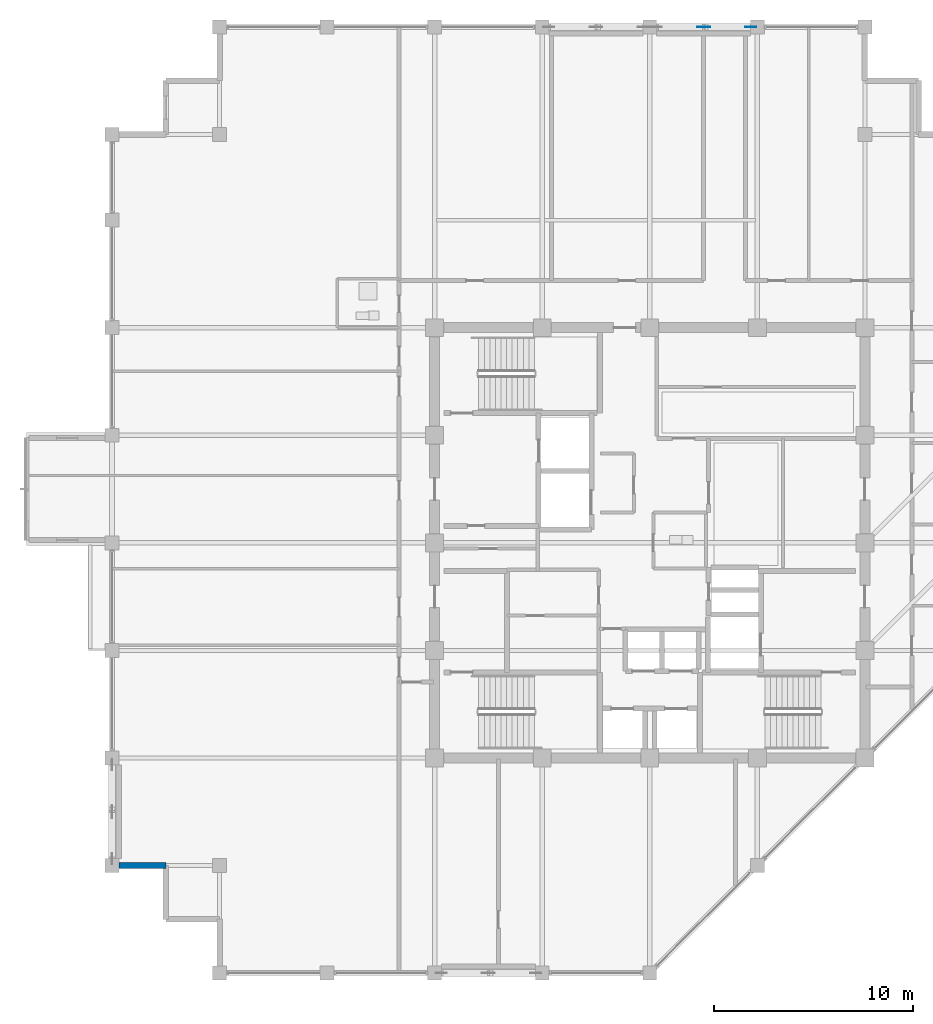
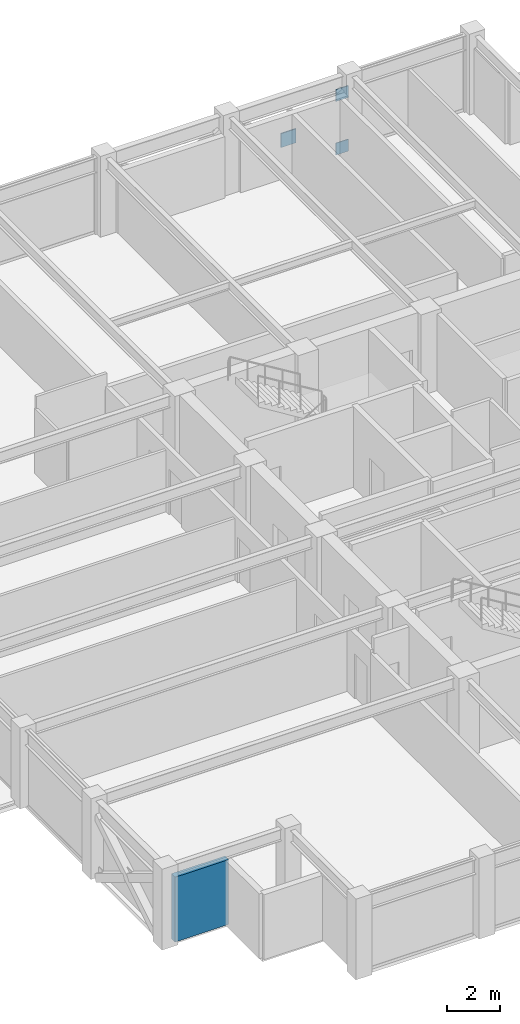
# One storey, part 24 of 31: 3 plates, 1 wall.
"""IFC4 building model written with IfcOpenShell, lengths in metres."""

import ifcopenshell
import ifcopenshell.guid

model = None  # the IFC model being written
_history = None  # IfcOwnerHistory: only IFC2X3 demands one
_inside = {}  # id of a spatial element -> (the spatial element, [elements in it])
_under = {}  # id of a project, library or spatial element -> (it, [spatial elements below it])
_declared = {}  # id of a project -> (the project, [libraries it declares])
_typed = {}  # id of a type object -> (the type object, [elements of that type])
_made_of = {}  # id of a material, layer set ... -> (it, [elements and type objects made of it])


def new_model(schema):
    """Start an empty IFC model of exactly this schema.

    Asked for "IFC4X3", IfcOpenShell would pick the latest addendum, in which some entities
    have other attributes; the version numbers below select the first issue.
    IFC2X3 requires an IfcOwnerHistory on every rooted entity: one is made here for all.
    """
    global model, _history
    if schema == "IFC4X3":
        model = ifcopenshell.file(schema_version=(4, 3, 0, 0))
    else:
        model = ifcopenshell.file(schema=schema)
    _inside.clear()
    _under.clear()
    _declared.clear()
    _typed.clear()
    _made_of.clear()
    _history = None
    if model.schema == "IFC2X3":
        org = make("IfcOrganization", Name="unknown")
        user = make(
            "IfcPersonAndOrganization",
            ThePerson=make("IfcPerson", FamilyName="unknown"),
            TheOrganization=org,
        )
        app = make(
            "IfcApplication",
            ApplicationDeveloper=org,
            Version="unknown",
            ApplicationFullName="unknown",
            ApplicationIdentifier="unknown",
        )
        _history = make(
            "IfcOwnerHistory",
            OwningUser=user,
            OwningApplication=app,
            ChangeAction="ADDED",
            CreationDate=0,
        )
    return model


def make(cls, **values):
    """One entity of the class cls with the attributes given. An attribute that is None is left unset."""
    return model.create_entity(
        cls, **{name: value for name, value in values.items() if value is not None}
    )


def rooted(cls, **values):
    """An entity with a GlobalId (a new one), such as an element, a storey or a relation."""
    return make(cls, GlobalId=ifcopenshell.guid.new(), OwnerHistory=_history, **values)


def si_unit(unit_type, name, prefix=None):
    """IfcSIUnit, for example si_unit("LENGTHUNIT", "METRE", prefix="MILLI")."""
    return make("IfcSIUnit", UnitType=unit_type, Prefix=prefix, Name=name)


def assignment(units):
    """IfcUnitAssignment: the units of a project."""
    return None if units is None else make("IfcUnitAssignment", Units=units)


def point(xyz):
    """IfcCartesianPoint."""
    return None if xyz is None else make("IfcCartesianPoint", Coordinates=xyz)


def direction(xyz):
    """IfcDirection."""
    return None if xyz is None else make("IfcDirection", DirectionRatios=xyz)


def frame(location, z_axis=None, x_axis=None):
    """IfcAxis2Placement3D, a coordinate frame: its origin and axes. An axis left out is left unset."""
    return make(
        "IfcAxis2Placement3D",
        Location=point(location),
        Axis=direction(z_axis),
        RefDirection=direction(x_axis),
    )


def frame_2d(location, x_axis=None):
    """IfcAxis2Placement2D, a coordinate frame in the plane: its origin and x axis."""
    return make(
        "IfcAxis2Placement2D", Location=point(location), RefDirection=direction(x_axis)
    )


def origin():
    """The frame at (0, 0, 0) with its axes left unset."""
    return frame((0.0, 0.0, 0.0))


def origin_2d():
    """The frame at (0, 0) in the plane with its x axis left unset."""
    return frame_2d((0.0, 0.0))


def place(relative_to, where):
    """IfcLocalPlacement: puts the frame where relative to a parent placement (None: the world)."""
    return make(
        "IfcLocalPlacement", PlacementRelTo=relative_to, RelativePlacement=where
    )


def context(
    kind, dimensions, precision=None, world=None, true_north=None, identifier=None
):
    """IfcGeometricRepresentationContext, for example the 3D "Model" context."""
    return make(
        "IfcGeometricRepresentationContext",
        ContextIdentifier=identifier,
        ContextType=kind,
        CoordinateSpaceDimension=dimensions,
        Precision=precision,
        WorldCoordinateSystem=world,
        TrueNorth=true_north,
    )


def subcontext(parent, identifier, kind, view, scale=None):
    """IfcGeometricRepresentationSubContext, for example "Body" below "Model"."""
    return make(
        "IfcGeometricRepresentationSubContext",
        ContextIdentifier=identifier,
        ContextType=kind,
        ParentContext=parent,
        TargetScale=scale,
        TargetView=view,
    )


def project(units=None, contexts=None):
    """IfcProject with its units and contexts."""
    return rooted(
        "IfcProject",
        Name="project",
        RepresentationContexts=contexts,
        UnitsInContext=assignment(units),
    )


def spatial(cls, under=None, at=None, **own):
    """A site, building, storey or space (cls), placed at a placement, below another one or the project."""
    s = rooted(cls, ObjectPlacement=at, **own)
    if under is not None:
        _under.setdefault(under.id(), (under, []))[1].append(s)
    return s


def profile(cls, at=None, kind="AREA", **sizes):
    """A parametric profile (cls). Its sizes go by their IFC names, for example OverallWidth=200.0."""
    return make(cls, ProfileType=kind, Position=at, **sizes)


def rectangle(**sizes):
    """IfcRectangleProfileDef."""
    return profile("IfcRectangleProfileDef", **sizes)


def extrude(swept, where, along, depth):
    """IfcExtrudedAreaSolid: the profile swept, set in the frame where, extruded along a direction by depth."""
    return make(
        "IfcExtrudedAreaSolid",
        SweptArea=swept,
        Position=where,
        ExtrudedDirection=direction(along),
        Depth=depth,
    )


def shape(context_of_items, identifier, shape_type, items):
    """IfcShapeRepresentation: the items that make up one representation, for example the "Body"."""
    return make(
        "IfcShapeRepresentation",
        ContextOfItems=context_of_items,
        RepresentationIdentifier=identifier,
        RepresentationType=shape_type,
        Items=items,
    )


def material(Name=None, Category=None):
    """IfcMaterial."""
    return make("IfcMaterial", Name=Name, Category=Category)


def layer(
    of_material, thickness, ventilated=None, Name=None, Category=None, Priority=None
):
    """IfcMaterialLayer: one layer of a wall or slab, of a material (None: an air gap)."""
    return make(
        "IfcMaterialLayer",
        Material=of_material,
        LayerThickness=thickness,
        IsVentilated=ventilated,
        Name=Name,
        Category=Category,
        Priority=Priority,
    )


def layer_set(layers, Name=None):
    """IfcMaterialLayerSet."""
    return make("IfcMaterialLayerSet", MaterialLayers=layers, LayerSetName=Name)


def made_of(thing, what):
    """Note that an element or type object is made of a material, layer set ...; save() writes the relation."""
    if what is not None:
        _made_of.setdefault(what.id(), (what, []))[1].append(thing)
    return thing


def type_object(cls, material=None, **own):
    """A type object (cls), such as IfcWallType, which elements share."""
    return made_of(rooted(cls, **own), material)


def element(
    cls,
    number,
    at=None,
    inside=None,
    cuts=None,
    type_object=None,
    material=None,
    context=None,
    identifier="Body",
    shape_type=None,
    held_by="IfcProductDefinitionShape",
    body=None,
    shapes=None,
    **own,
):
    """One element of the class cls, such as IfcWall. Its Tag is "e" and its number.

    at: its placement. inside: the storey or other place that contains it. cuts: it is an
    opening in that element (IfcRelVoidsElement). A single representation is given by context,
    identifier, shape_type and body (its items); several are given by shapes. held_by: the class
    of the entity that holds the representations. save() writes the other relations.
    """
    e = rooted(cls, Tag="e%d" % number, ObjectPlacement=at, **own)
    if body is not None:
        shapes = [shape(context, identifier, shape_type, body)]
    if shapes is not None:
        e.Representation = make(held_by, Representations=shapes)
    if inside is not None:
        _inside.setdefault(inside.id(), (inside, []))[1].append(e)
    if cuts is not None:
        rooted(
            "IfcRelVoidsElement", RelatingBuildingElement=cuts, RelatedOpeningElement=e
        )
    if type_object is not None:
        _typed.setdefault(type_object.id(), (type_object, []))[1].append(e)
    return made_of(e, material)


def aggregate(whole, parts):
    """IfcRelAggregates: a whole, such as a stair, and the parts it consists of."""
    return rooted("IfcRelAggregates", RelatingObject=whole, RelatedObjects=parts)


def save(model, path):
    """Write the relations noted so far, then the file.

    IfcRelAggregates (storeys below a building ...), IfcRelContainedInSpatialStructure (elements
    in a storey), IfcRelDefinesByType, IfcRelAssociatesMaterial and IfcRelDeclares: one each for
    every whole, place, type object, material and project.
    """
    for whole, parts in _under.values():
        aggregate(whole, parts)
    for where, things in _inside.values():
        rooted(
            "IfcRelContainedInSpatialStructure",
            RelatedElements=things,
            RelatingStructure=where,
        )
    for kind, things in _typed.values():
        rooted("IfcRelDefinesByType", RelatedObjects=things, RelatingType=kind)
    for what, things in _made_of.values():
        rooted("IfcRelAssociatesMaterial", RelatedObjects=things, RelatingMaterial=what)
    for by, libraries in _declared.values():
        rooted("IfcRelDeclares", RelatingContext=by, RelatedDefinitions=libraries)
    model.write(path)


model = new_model("IFC4")

# Units and contexts
model_context = context("Model", 3, precision=1e-05, world=origin(), true_north=direction((0.0, 1.0)))
body_context = subcontext(model_context, "Body", "Model", "MODEL_VIEW")
ifc_project = project(units=[si_unit("LENGTHUNIT", "METRE"), si_unit("AREAUNIT", "SQUARE_METRE"), si_unit("VOLUMEUNIT", "CUBIC_METRE"), si_unit("PLANEANGLEUNIT", "RADIAN"), si_unit("MASSUNIT", "GRAM", prefix="KILO")], contexts=[model_context])

# Site, building, storey
site_placement = place(None, origin())
site = spatial("IfcSite", under=ifc_project, at=site_placement, CompositionType="ELEMENT")
building_placement = place(site_placement, origin())
building = spatial("IfcBuilding", under=site, at=building_placement, Name="Surkhivell Harbour Commons", CompositionType="ELEMENT")
storey_placement = place(building_placement, frame((0.0, 0.0, 315.0)))
storey = spatial("IfcBuildingStorey", under=building, at=storey_placement, Name="L82", CompositionType="ELEMENT", Elevation=315.0)

# Plates
ifc_material_1 = material(Name="Steel S460", Category="steel")
ifc_layer_1 = layer(ifc_material_1, 0.035888671875)
ifc_layer_set_1 = layer_set([ifc_layer_1], Name="Steel S460")
plate_type_1 = type_object("IfcPlateType", Name="PLT-GUS-550", PredefinedType="USERDEFINED", material=ifc_layer_set_1)
for number, where, z_axis, x_axis, name in (
    (1, (5.06494140625, 25.89990234375, -0.07470703125), (0.0, 0.0, 1.0), (1.0, 0.0, 0.0), "L82 Perimeter Mega-Brace MB- Corner Gusset N2-2"),
    (2, (5.06494140625, 25.89990234375, 2.41357421875), (0.0, 0.0, 1.0), (1.0, 0.0, 0.0), "L82 Perimeter Mega-Brace MB- Corner Gusset N2-4"),
):
    element("IfcPlate", number, at=place(storey_placement, frame(where, z_axis=z_axis, x_axis=x_axis)), inside=storey, type_object=plate_type_1, Name=name, ObjectType="GUSSET_PLATE", PredefinedType="USERDEFINED", context=body_context, shape_type="SweptSolid", body=[
        extrude(rectangle(XDim=0.550048828125, YDim=0.035888671875, at=origin_2d()), origin(), (0.0, 0.0, 1.0), 0.550048828125),
    ])
ifc_layer_2 = layer(ifc_material_1, 0.044921875)
ifc_layer_set_2 = layer_set([ifc_layer_2], Name="Steel S460")
plate_type_2 = type_object("IfcPlateType", Name="PLT-GUS-650", PredefinedType="USERDEFINED", material=ifc_layer_set_2)
plate_placement = place(storey_placement, frame((2.699951171875, 25.89990234375, 1.11962890625), z_axis=(0.0, 0.0, 1.0), x_axis=(1.0, 0.0, 0.0)))
element("IfcPlate", 3, at=plate_placement, inside=storey, type_object=plate_type_2, Name="L82 Perimeter Mega-Brace MB- Central Crossing Gusset N2", ObjectType="GUSSET_PLATE", PredefinedType="USERDEFINED", context=body_context, shape_type="SweptSolid", body=[
    extrude(rectangle(XDim=0.64990234375, YDim=0.044921875, at=origin_2d()), origin(), (0.0, 0.0, 1.0), 0.64990234375),
])

# Wall
ifc_material_2 = material(Name="Terracotta-clad reinforced concrete C45/55", Category="masonry")
ifc_layer_3 = layer(ifc_material_2, 0.280029296875)
ifc_layer_set_3 = layer_set([ifc_layer_3], Name="Terracotta-clad reinforced concrete C45/55")
wall_type = type_object("IfcWallType", Name="WAL-EXT-TER280", PredefinedType="STANDARD", material=ifc_layer_set_3)
wall_placement = place(storey_placement, frame((-26.652099609375, -16.199951171875, 0.0), z_axis=(0.0, 0.0, 1.0), x_axis=(1.0, 0.0, 0.0)))
element("IfcWall", 4, at=wall_placement, inside=storey, type_object=wall_type, Name="L82 Serrated Corner Facade Wall 13", PredefinedType="STANDARD", context=body_context, shape_type="SweptSolid", body=[
    extrude(rectangle(XDim=2.35205078125, YDim=0.280029296875, at=frame_2d((1.176025390625, 0.0))), origin(), (0.0, 0.0, 1.0), 3.012939453125),
])

save(model, "model.ifc")
